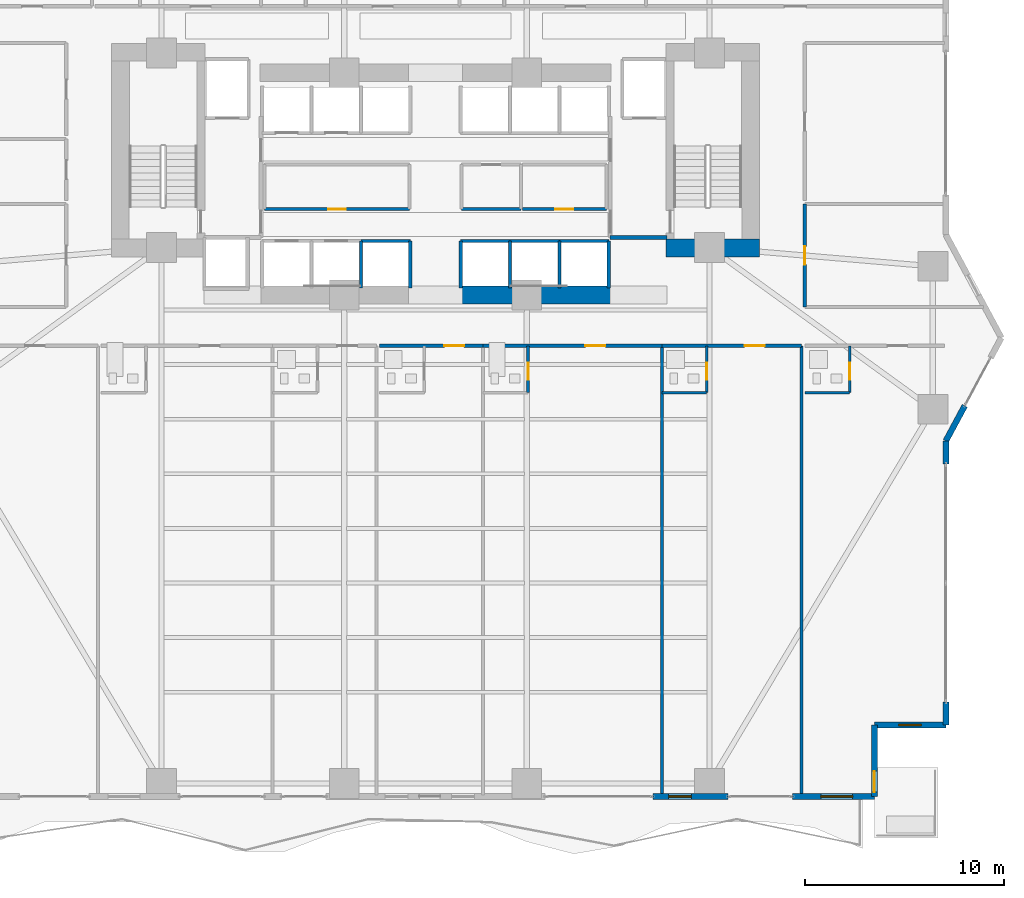
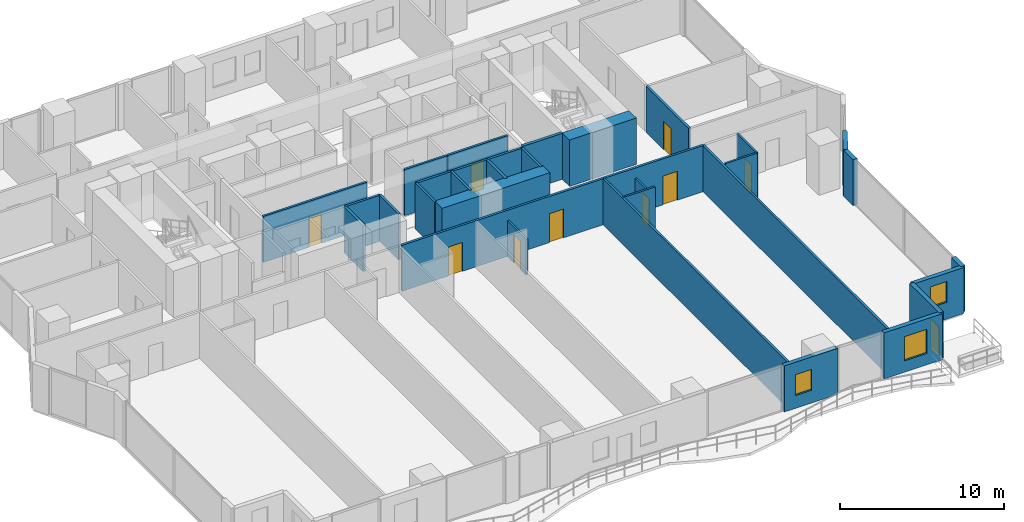
# One storey, part 19 of 29: 34 walls, 10 doors, 3 windows, 13 openings.
"""IFC4 building model written with IfcOpenShell, lengths in metres."""

from ifc_helpers import new_model, si_unit, direction, frame, frame_2d, origin, place, context, subcontext, project, spatial, rectangle, extrude, material, layer, layer_set, type_object, element, fill, save


model = new_model("IFC4")

# Units and contexts
model_context = context("Model", 3, precision=1e-05, world=origin(), true_north=direction((0.0, 1.0)))
body_context = subcontext(model_context, "Body", "Model", "MODEL_VIEW")
ifc_project = project(units=[si_unit("LENGTHUNIT", "METRE"), si_unit("AREAUNIT", "SQUARE_METRE"), si_unit("VOLUMEUNIT", "CUBIC_METRE"), si_unit("PLANEANGLEUNIT", "RADIAN"), si_unit("MASSUNIT", "GRAM", prefix="KILO")], contexts=[model_context])

# Site, building, storey
site_placement = place(None, origin())
site = spatial("IfcSite", under=ifc_project, at=site_placement, CompositionType="ELEMENT")
building_placement = place(site_placement, origin())
building = spatial("IfcBuilding", under=site, at=building_placement, Name="Zuhayl Quay Hotel", CompositionType="ELEMENT")
storey_placement = place(building_placement, frame((0.0, 0.0, 45.85009765625)))
storey = spatial("IfcBuildingStorey", under=building, at=storey_placement, Name="L10", CompositionType="ELEMENT", Elevation=45.85009765625)

# Walls
ifc_material_1 = material(Name="Concrete C70/85", Category="concrete")
ifc_layer_1 = layer(ifc_material_1, 0.89990234375, Name="Concrete C70/85", Category="concrete")
ifc_layer_set_1 = layer_set([ifc_layer_1], Name="Concrete C70/85")
wall_type_1 = type_object("IfcWallType", Name="WL_CORE_900", PredefinedType="SHEAR", material=ifc_layer_set_1)
wall_1_placement = place(storey_placement, frame((11.60009765625, 4.52001953125, 0.0), z_axis=(0.0, 0.0, 1.0), x_axis=(1.0, 0.0, 0.0)))
element("IfcWall", 1, at=wall_1_placement, inside=storey, type_object=wall_type_1, Name="L10 Core Shear Wall CW_SE", PredefinedType="SHEAR", context=body_context, shape_type="SweptSolid", body=[
    extrude(rectangle(XDim=4.7099609375, YDim=0.89990234375, at=frame_2d((2.35498046875, 0.0))), origin(), (0.0, 0.0, 1.0), 3.4599609375),
])
wall_2_placement = place(storey_placement, frame((1.25, 2.14990234375, 0.0), z_axis=(0.0, 0.0, 1.0), x_axis=(1.0, 0.0, 0.0)))
element("IfcWall", 2, at=wall_2_placement, inside=storey, type_object=wall_type_1, Name="L10 Core Shear Wall CW_SC_E", PredefinedType="SHEAR", context=body_context, shape_type="SweptSolid", body=[
    extrude(rectangle(XDim=7.60009765625, YDim=0.89990234375, at=frame_2d((3.800048828125, 0.0))), origin(), (0.0, 0.0, 1.0), 3.429931640625),
])
ifc_material_2 = material(Name="Precast concrete C45/55", Category="concrete")
ifc_layer_2 = layer(ifc_material_2, 0.300048828125, Name="Precast concrete C45/55", Category="concrete")
ifc_layer_set_2 = layer_set([ifc_layer_2], Name="Precast concrete C45/55")
wall_type_2 = type_object("IfcWallType", Name="WL_EXT_300", PredefinedType="STANDARD", material=ifc_layer_set_2)
wall_3_placement = place(storey_placement, frame((26.657958984375, -3.4208984375, 0.0), z_axis=(0.0, 0.0, 1.0), x_axis=(-0.474121438562, -0.88045946045, 0.0)))
element("IfcWall", 3, at=wall_3_placement, inside=storey, type_object=wall_type_2, Name="L10 Exterior Precast Wall ENV_L10_E13_EW2", PredefinedType="STANDARD", context=body_context, shape_type="SweptSolid", body=[
    extrude(rectangle(XDim=2.0205078125, YDim=0.300048828125, at=frame_2d((1.01025390625, 0.0))), origin(), (0.0, 0.0, 1.0), 3.429931640625),
])
wall_4_placement = place(storey_placement, frame((25.699951171875, -5.199951171875, 0.0), z_axis=(0.0, 0.0, 1.0), x_axis=(0.0, -1.0, 0.0)))
element("IfcWall", 4, at=wall_4_placement, inside=storey, type_object=wall_type_2, Name="L10 Exterior Precast Wall ENV_L10_E14_EW1", PredefinedType="STANDARD", context=body_context, shape_type="SweptSolid", body=[
    extrude(rectangle(XDim=1.150146484375, YDim=0.300048828125, at=frame_2d((0.5751953125, 0.0))), origin(), (0.0, 0.0, 1.0), 3.429931640625),
])
wall_5_placement = place(storey_placement, frame((25.699951171875, -18.35009765625, 0.0), z_axis=(0.0, 0.0, 1.0), x_axis=(0.0, -1.0, 0.0)))
element("IfcWall", 5, at=wall_5_placement, inside=storey, type_object=wall_type_2, Name="L10 Exterior Precast Wall ENV_L10_E14_EW2", PredefinedType="STANDARD", context=body_context, shape_type="SweptSolid", body=[
    extrude(rectangle(XDim=1.14990234375, YDim=0.300048828125, at=frame_2d((0.574951171875, 0.0))), origin(), (0.0, 0.0, 1.0), 3.429931640625),
])

# Wall, opening, window
wall_6_placement = place(storey_placement, frame((25.699951171875, -19.5, 0.0), z_axis=(0.0, 0.0, 1.0), x_axis=(-1.0, 0.0, 0.0)))
wall_6 = element("IfcWall", 6, at=wall_6_placement, inside=storey, type_object=wall_type_2, Name="L10 Exterior Precast Wall ENV_L10_EW15", PredefinedType="STANDARD", context=body_context, shape_type="SweptSolid", body=[
    extrude(rectangle(XDim=3.599853515625, YDim=0.300048828125, at=frame_2d((1.7998046875, 0.0))), origin(), (0.0, 0.0, 1.0), 3.429931640625),
])
opening_1_placement = place(wall_6_placement, frame((1.22509765625, 0.0, 1.25)))
opening_1 = element("IfcOpeningElement", 7, at=opening_1_placement, cuts=wall_6, Name="Opening W01N", PredefinedType="OPENING", context=body_context, shape_type="SweptSolid", body=[
    extrude(rectangle(XDim=1.14990234375, YDim=1.550048828125, at=frame_2d((0.574951171875, 0.77490234375))), frame((0.0, 0.159912109375, 0.0), z_axis=(0.0, -1.0, 0.0), x_axis=(1.0, 0.0, 0.0)), (0.0, 0.0, 1.0), 0.320068359375),
])
ifc_material_3 = material(Name="Dark Ceramic-Fritted Solar Glass", Category="glass")
window_type_1 = type_object("IfcWindowType", Name="WN_NOTCH_1350", PartitioningType="SINGLE_PANEL", PredefinedType="WINDOW", material=ifc_material_3)
window_1_placement = place(opening_1_placement, origin())
window_1 = element("IfcWindow", 8, at=window_1_placement, inside=storey, type_object=window_type_1, Name="L10 Corner Notch Window 15", OverallHeight=1.550048828125, OverallWidth=1.14990234375, PartitioningType="SINGLE_PANEL", PredefinedType="WINDOW", context=body_context, shape_type="SweptSolid", body=[
    extrude(rectangle(XDim=1.14990234375, YDim=1.550048828125, at=frame_2d((0.574951171875, 0.77490234375))), frame((0.0, 0.030029296875, 0.0), z_axis=(0.0, -1.0, 0.0), x_axis=(1.0, 0.0, 0.0)), (0.0, 0.0, 1.0), 0.06005859375),
])
fill(opening_1, window_1)

# Wall, opening, door
wall_7_placement = place(storey_placement, frame((22.10009765625, -19.5, 0.0), z_axis=(0.0, 0.0, 1.0), x_axis=(0.0, -1.0, 0.0)))
wall_7 = element("IfcWall", 9, at=wall_7_placement, inside=storey, type_object=wall_type_2, Name="L10 Exterior Precast Wall ENV_L10_SP_SE", PredefinedType="STANDARD", context=body_context, shape_type="SweptSolid", body=[
    extrude(rectangle(XDim=3.60009765625, YDim=0.300048828125, at=frame_2d((1.800048828125, 0.0))), origin(), (0.0, 0.0, 1.0), 3.429931640625),
])
opening_2_placement = place(wall_7_placement, frame((2.330078125, 0.0, 0.0)))
opening_2 = element("IfcOpeningElement", 10, at=opening_2_placement, cuts=wall_7, Name="Opening DG1", PredefinedType="OPENING", context=body_context, shape_type="SweptSolid", body=[
    extrude(rectangle(XDim=1.050048828125, YDim=2.199951171875, at=frame_2d((0.52490234375, 1.10009765625))), frame((0.0, 0.159912109375, 0.0), z_axis=(0.0, -1.0, 0.0), x_axis=(1.0, 0.0, 0.0)), (0.0, 0.0, 1.0), 0.320068359375),
])
ifc_material_4 = material(Name="Anodised Aluminium and Dark Solar Glass", Category="aluminium")
door_type_1 = type_object("IfcDoorType", Name="DR_EXT_TERR_1050", OperationType="NOTDEFINED", PredefinedType="DOOR", material=ifc_material_4)
door_1_placement = place(opening_2_placement, origin())
door_1 = element("IfcDoor", 11, at=door_1_placement, inside=storey, type_object=door_type_1, Name="L10 Spiral Sky-Terrace SE Access Door", OperationType="SINGLE_SWING_LEFT", OverallHeight=2.199951171875, OverallWidth=1.050048828125, PredefinedType="DOOR", context=body_context, shape_type="SweptSolid", body=[
    extrude(rectangle(XDim=1.050048828125, YDim=2.199951171875, at=frame_2d((0.52490234375, 1.10009765625))), frame((0.0, 0.02490234375, 0.0), z_axis=(0.0, -1.0, 0.0), x_axis=(1.0, 0.0, 0.0)), (0.0, 0.0, 1.0), 0.050048828125),
])
fill(opening_2, door_1)

# Wall, opening, window
wall_8_placement = place(storey_placement, frame((22.10009765625, -23.10009765625, 0.0), z_axis=(0.0, 0.0, 1.0), x_axis=(-1.0, 0.0, 0.0)))
wall_8 = element("IfcWall", 12, at=wall_8_placement, inside=storey, type_object=wall_type_2, Name="L10 Exterior Precast Wall ENV_L10_S_EW1", PredefinedType="STANDARD", context=body_context, shape_type="SweptSolid", body=[
    extrude(rectangle(XDim=4.110107421875, YDim=0.300048828125, at=frame_2d((2.05517578125, 0.0))), origin(), (0.0, 0.0, 1.0), 3.429931640625),
])
opening_3_placement = place(wall_8_placement, frame((1.090087890625, 0.0, 0.85009765625)))
opening_3 = element("IfcOpeningElement", 13, at=opening_3_placement, cuts=wall_8, Name="Opening W01", PredefinedType="OPENING", context=body_context, shape_type="SweptSolid", body=[
    extrude(rectangle(XDim=1.60009765625, YDim=1.800048828125, at=frame_2d((0.800048828125, 0.89990234375))), frame((0.0, 0.159912109375, 0.0), z_axis=(0.0, -1.0, 0.0), x_axis=(1.0, 0.0, 0.0)), (0.0, 0.0, 1.0), 0.320068359375),
])
window_type_2 = type_object("IfcWindowType", Name="WN_OPERABLE_1600", PartitioningType="DOUBLE_PANEL_VERTICAL", PredefinedType="WINDOW", material=ifc_material_3)
window_2_placement = place(opening_3_placement, origin())
window_2 = element("IfcWindow", 14, at=window_2_placement, inside=storey, type_object=window_type_2, Name="L10 Operable Facade Window 1-1", OverallHeight=1.800048828125, OverallWidth=1.60009765625, PartitioningType="SINGLE_PANEL", PredefinedType="WINDOW", context=body_context, shape_type="SweptSolid", body=[
    extrude(rectangle(XDim=1.60009765625, YDim=1.800048828125, at=frame_2d((0.800048828125, 0.89990234375))), frame((0.0, 0.030029296875, 0.0), z_axis=(0.0, -1.0, 0.0), x_axis=(1.0, 0.0, 0.0)), (0.0, 0.0, 1.0), 0.06005859375),
])
fill(opening_3, window_2)

wall_9_placement = place(storey_placement, frame((14.719970703125, -23.10009765625, 0.0), z_axis=(0.0, 0.0, 1.0), x_axis=(-1.0, 0.0, 0.0)))
wall_9 = element("IfcWall", 15, at=wall_9_placement, inside=storey, type_object=wall_type_2, Name="L10 Exterior Precast Wall ENV_L10_S_EW2", PredefinedType="STANDARD", context=body_context, shape_type="SweptSolid", body=[
    extrude(rectangle(XDim=3.77001953125, YDim=0.300048828125, at=frame_2d((1.885009765625, 0.0))), origin(), (0.0, 0.0, 1.0), 3.429931640625),
])
opening_4_placement = place(wall_9_placement, frame((1.8349609375, 0.0, 0.949951171875)))
opening_4 = element("IfcOpeningElement", 16, at=opening_4_placement, cuts=wall_9, Name="Opening W01N", PredefinedType="OPENING", context=body_context, shape_type="SweptSolid", body=[
    extrude(rectangle(XDim=1.14990234375, YDim=1.550048828125, at=frame_2d((0.574951171875, 0.77490234375))), frame((0.0, 0.159912109375, 0.0), z_axis=(0.0, -1.0, 0.0), x_axis=(1.0, 0.0, 0.0)), (0.0, 0.0, 1.0), 0.320068359375),
])
window_3_placement = place(opening_4_placement, origin())
window_3 = element("IfcWindow", 17, at=window_3_placement, inside=storey, type_object=window_type_1, Name="L10 Operable Facade Window 2-1", OverallHeight=1.550048828125, OverallWidth=1.14990234375, PartitioningType="SINGLE_PANEL", PredefinedType="WINDOW", context=body_context, shape_type="SweptSolid", body=[
    extrude(rectangle(XDim=1.14990234375, YDim=1.550048828125, at=frame_2d((0.574951171875, 0.77490234375))), frame((0.0, 0.030029296875, 0.0), z_axis=(0.0, -1.0, 0.0), x_axis=(1.0, 0.0, 0.0)), (0.0, 0.0, 1.0), 0.06005859375),
])
fill(opening_4, window_3)

# Wall, opening, door
ifc_material_5 = material(Name="Acoustic Gypsum Partition STC-58")
ifc_layer_3 = layer(ifc_material_5, 0.14990234375, Name="Acoustic Gypsum Partition STC-58")
ifc_layer_set_3 = layer_set([ifc_layer_3], Name="Acoustic Gypsum Partition STC-58")
wall_type_3 = type_object("IfcWallType", Name="WL_PART_150", PredefinedType="PARTITIONING", material=ifc_layer_set_3)
wall_10_placement = place(storey_placement, frame((-8.610107421875, 6.47998046875, 0.0), z_axis=(0.0, 0.0, 1.0), x_axis=(1.0, 0.0, 0.0)))
wall_10 = element("IfcWall", 18, at=wall_10_placement, inside=storey, type_object=wall_type_3, Name="L10 Partition IW_L10_CORE_EL_S", PredefinedType="PARTITIONING", context=body_context, shape_type="SweptSolid", body=[
    extrude(rectangle(XDim=7.2900390625, YDim=0.14990234375, at=frame_2d((3.64501953125, 0.0))), origin(), (0.0, 0.0, 1.0), 3.429931640625),
])
opening_5_placement = place(wall_10_placement, frame((3.195068359375, 0.0, 0.0)))
opening_5 = element("IfcOpeningElement", 19, at=opening_5_placement, cuts=wall_10, Name="Opening D06", PredefinedType="OPENING", context=body_context, shape_type="SweptSolid", body=[
    extrude(rectangle(XDim=0.89990234375, YDim=2.14990234375, at=frame_2d((0.449951171875, 1.074951171875))), frame((0.0, 0.0849609375, 0.0), z_axis=(0.0, -1.0, 0.0), x_axis=(1.0, 0.0, 0.0)), (0.0, 0.0, 1.0), 0.169921875),
])
ifc_material_6 = material(Name="Steel ASTM A992 Grade 50", Category="steel")
door_type_2 = type_object("IfcDoorType", Name="DR_INT_900", OperationType="NOTDEFINED", PredefinedType="DOOR", material=ifc_material_6)
door_2_placement = place(opening_5_placement, origin())
door_2 = element("IfcDoor", 20, at=door_2_placement, inside=storey, type_object=door_type_2, Name="L10 Floor Electrical Plant Room Door", OperationType="SINGLE_SWING_LEFT", OverallHeight=2.14990234375, OverallWidth=0.89990234375, PredefinedType="DOOR", context=body_context, shape_type="SweptSolid", body=[
    extrude(rectangle(XDim=0.89990234375, YDim=2.14990234375, at=frame_2d((0.449951171875, 1.074951171875))), frame((0.0, 0.02490234375, 0.0), z_axis=(0.0, -1.0, 0.0), x_axis=(1.0, 0.0, 0.0)), (0.0, 0.0, 1.0), 0.050048828125),
])
fill(opening_5, door_2)

wall_11_placement = place(storey_placement, frame((4.3701171875, 6.47998046875, 0.0), z_axis=(0.0, 0.0, 1.0), x_axis=(1.0, 0.0, 0.0)))
wall_11 = element("IfcWall", 21, at=wall_11_placement, inside=storey, type_object=wall_type_3, Name="L10 Partition IW_L10_CORE_LN_S", PredefinedType="PARTITIONING", context=body_context, shape_type="SweptSolid", body=[
    extrude(rectangle(XDim=4.239990234375, YDim=0.14990234375, at=frame_2d((2.1201171875, 0.0))), origin(), (0.0, 0.0, 1.0), 3.429931640625),
])
opening_6_placement = place(wall_11_placement, frame((1.669921875, 0.0, 0.0)))
opening_6 = element("IfcOpeningElement", 22, at=opening_6_placement, cuts=wall_11, Name="Opening D06", PredefinedType="OPENING", context=body_context, shape_type="SweptSolid", body=[
    extrude(rectangle(XDim=0.89990234375, YDim=2.14990234375, at=frame_2d((0.449951171875, 1.074951171875))), frame((0.0, 0.0849609375, 0.0), z_axis=(0.0, -1.0, 0.0), x_axis=(1.0, 0.0, 0.0)), (0.0, 0.0, 1.0), 0.169921875),
])
door_3_placement = place(opening_6_placement, origin())
door_3 = element("IfcDoor", 23, at=door_3_placement, inside=storey, type_object=door_type_2, Name="L10 Core Linen Store Door", OperationType="SINGLE_SWING_LEFT", OverallHeight=2.14990234375, OverallWidth=0.89990234375, PredefinedType="DOOR", context=body_context, shape_type="SweptSolid", body=[
    extrude(rectangle(XDim=0.89990234375, YDim=2.14990234375, at=frame_2d((0.449951171875, 1.074951171875))), frame((0.0, 0.02490234375, 0.0), z_axis=(0.0, -1.0, 0.0), x_axis=(1.0, 0.0, 0.0)), (0.0, 0.0, 1.0), 0.050048828125),
])
fill(opening_6, door_3)

# Walls
wall_12_placement = place(storey_placement, frame((1.320068359375, 6.47998046875, 0.0), z_axis=(0.0, 0.0, 1.0), x_axis=(1.0, 0.0, 0.0)))
element("IfcWall", 24, at=wall_12_placement, inside=storey, type_object=wall_type_3, Name="L10 Partition IW_L10_CORE_IT_S", PredefinedType="PARTITIONING", context=body_context, shape_type="SweptSolid", body=[
    extrude(rectangle(XDim=2.989990234375, YDim=0.14990234375, at=frame_2d((1.4951171875, 0.0))), origin(), (0.0, 0.0, 1.0), 3.429931640625),
])
for number, where, z_axis, x_axis, name in (
    (25, (11.39990234375, -23.02001953125, 0.0), (0.0, 0.0, 1.0), (0.0, 1.0, 0.0), "L10 Partition IW_L10_SU03_E"),
    (26, (18.43994140625, -23.02001953125, 0.0), (0.0, 0.0, 1.0), (0.0, 1.0, 0.0), "L10 Partition IW_L10_SU04A_E"),
):
    element("IfcWall", number, at=place(storey_placement, frame(where, z_axis=z_axis, x_axis=x_axis)), inside=storey, type_object=wall_type_3, Name=name, PredefinedType="PARTITIONING", context=body_context, shape_type="SweptSolid", body=[
        extrude(rectangle(XDim=22.6201171875, YDim=0.14990234375, at=frame_2d((11.31005859375, 0.0))), origin(), (0.0, 0.0, 1.0), 3.429931640625),
    ])

# Wall, opening, door
ifc_layer_4 = layer(ifc_material_5, 0.159912109375, Name="Acoustic Gypsum Partition STC-58")
ifc_layer_set_4 = layer_set([ifc_layer_4], Name="Acoustic Gypsum Partition STC-58")
wall_type_4 = type_object("IfcWallType", Name="WL_PART_CORR_160", PredefinedType="PARTITIONING", material=ifc_layer_set_4)
wall_13_placement = place(storey_placement, frame((-2.820068359375, -0.39990234375, 0.0), z_axis=(0.0, 0.0, 1.0), x_axis=(1.0, 0.0, 0.0)))
wall_13 = element("IfcWall", 27, at=wall_13_placement, inside=storey, type_object=wall_type_4, Name="L10 Partition IW_L10_SU02B_COR", PredefinedType="PARTITIONING", context=body_context, shape_type="SweptSolid", body=[
    extrude(rectangle(XDim=5.219970703125, YDim=0.159912109375, at=frame_2d((2.60986328125, 0.0))), origin(), (0.0, 0.0, 1.0), 3.429931640625),
])
opening_7_placement = place(wall_13_placement, frame((3.260009765625, 0.0, 0.0)))
opening_7 = element("IfcOpeningElement", 28, at=opening_7_placement, cuts=wall_13, Name="Opening D03L", PredefinedType="OPENING", context=body_context, shape_type="SweptSolid", body=[
    extrude(rectangle(XDim=1.0, YDim=2.14990234375, at=frame_2d((0.5, 1.074951171875))), frame((0.0, 0.08984375, 0.0), z_axis=(0.0, -1.0, 0.0), x_axis=(1.0, 0.0, 0.0)), (0.0, 0.0, 1.0), 0.179931640625),
])
ifc_material_7 = material(Name="Solid Walnut Acoustic Fire Door")
door_type_3 = type_object("IfcDoorType", Name="DR_SUITE_1000", OperationType="NOTDEFINED", PredefinedType="DOOR", material=ifc_material_7)
door_4_placement = place(opening_7_placement, origin())
door_4 = element("IfcDoor", 29, at=door_4_placement, inside=storey, type_object=door_type_3, Name="L10 City-View Junior Suite L10-02B Entrance Door", OperationType="SINGLE_SWING_RIGHT", OverallHeight=2.14990234375, OverallWidth=1.0, PredefinedType="DOOR", context=body_context, shape_type="SweptSolid", body=[
    extrude(rectangle(XDim=1.0, YDim=2.14990234375, at=frame_2d((0.5, 1.074951171875))), frame((0.0, 0.02490234375, 0.0), z_axis=(0.0, -1.0, 0.0), x_axis=(1.0, 0.0, 0.0)), (0.0, 0.0, 1.0), 0.050048828125),
])
fill(opening_7, door_4)

wall_14_placement = place(storey_placement, frame((2.39990234375, -0.39990234375, 0.0), z_axis=(0.0, 0.0, 1.0), x_axis=(1.0, 0.0, 0.0)))
wall_14 = element("IfcWall", 30, at=wall_14_placement, inside=storey, type_object=wall_type_4, Name="L10 Partition IW_L10_SU03_COR", PredefinedType="PARTITIONING", context=body_context, shape_type="SweptSolid", body=[
    extrude(rectangle(XDim=9.0, YDim=0.159912109375, at=frame_2d((4.5, 0.0))), origin(), (0.0, 0.0, 1.0), 3.429931640625),
])
opening_8_placement = place(wall_14_placement, frame((5.14990234375, 0.0, 0.0)))
opening_8 = element("IfcOpeningElement", 31, at=opening_8_placement, cuts=wall_14, Name="Opening D03L", PredefinedType="OPENING", context=body_context, shape_type="SweptSolid", body=[
    extrude(rectangle(XDim=1.0, YDim=2.14990234375, at=frame_2d((0.5, 1.074951171875))), frame((0.0, 0.08984375, 0.0), z_axis=(0.0, -1.0, 0.0), x_axis=(1.0, 0.0, 0.0)), (0.0, 0.0, 1.0), 0.179931640625),
])
door_5_placement = place(opening_8_placement, origin())
door_5 = element("IfcDoor", 32, at=door_5_placement, inside=storey, type_object=door_type_3, Name="L10 City-View Junior Suite L10-03 Entrance Door", OperationType="SINGLE_SWING_RIGHT", OverallHeight=2.14990234375, OverallWidth=1.0, PredefinedType="DOOR", context=body_context, shape_type="SweptSolid", body=[
    extrude(rectangle(XDim=1.0, YDim=2.14990234375, at=frame_2d((0.5, 1.074951171875))), frame((0.0, 0.02490234375, 0.0), z_axis=(0.0, -1.0, 0.0), x_axis=(1.0, 0.0, 0.0)), (0.0, 0.0, 1.0), 0.050048828125),
])
fill(opening_8, door_5)

wall_15_placement = place(storey_placement, frame((11.39990234375, -0.39990234375, 0.0), z_axis=(0.0, 0.0, 1.0), x_axis=(1.0, 0.0, 0.0)))
wall_15 = element("IfcWall", 33, at=wall_15_placement, inside=storey, type_object=wall_type_4, Name="L10 Partition IW_L10_SU04A_COR", PredefinedType="PARTITIONING", context=body_context, shape_type="SweptSolid", body=[
    extrude(rectangle(XDim=7.0400390625, YDim=0.159912109375, at=frame_2d((3.52001953125, 0.0))), origin(), (0.0, 0.0, 1.0), 3.429931640625),
])
opening_9_placement = place(wall_15_placement, frame((4.169921875, 0.0, 0.0)))
opening_9 = element("IfcOpeningElement", 34, at=opening_9_placement, cuts=wall_15, Name="Opening D03L", PredefinedType="OPENING", context=body_context, shape_type="SweptSolid", body=[
    extrude(rectangle(XDim=1.0, YDim=2.14990234375, at=frame_2d((0.5, 1.074951171875))), frame((0.0, 0.08984375, 0.0), z_axis=(0.0, -1.0, 0.0), x_axis=(1.0, 0.0, 0.0)), (0.0, 0.0, 1.0), 0.179931640625),
])
door_6_placement = place(opening_9_placement, origin())
door_6 = element("IfcDoor", 35, at=door_6_placement, inside=storey, type_object=door_type_3, Name="L10 City-View Junior Suite L10-04A Entrance Door", OperationType="SINGLE_SWING_RIGHT", OverallHeight=2.14990234375, OverallWidth=1.0, PredefinedType="DOOR", context=body_context, shape_type="SweptSolid", body=[
    extrude(rectangle(XDim=1.0, YDim=2.14990234375, at=frame_2d((0.5, 1.074951171875))), frame((0.0, 0.02490234375, 0.0), z_axis=(0.0, -1.0, 0.0), x_axis=(1.0, 0.0, 0.0)), (0.0, 0.0, 1.0), 0.050048828125),
])
fill(opening_9, door_6)

wall_16_placement = place(storey_placement, frame((18.60009765625, 1.550048828125, 0.0), z_axis=(0.0, 0.0, 1.0), x_axis=(0.0, 1.0, 0.0)))
wall_16 = element("IfcWall", 36, at=wall_16_placement, inside=storey, type_object=wall_type_4, Name="L10 Partition IW_L10_HK_MAIN_W", PredefinedType="PARTITIONING", context=body_context, shape_type="SweptSolid", body=[
    extrude(rectangle(XDim=5.199951171875, YDim=0.159912109375, at=frame_2d((2.60009765625, 0.0))), origin(), (0.0, 0.0, 1.0), 3.429931640625),
])
opening_10_placement = place(wall_16_placement, frame((2.139892578125, 0.0, 0.0)))
opening_10 = element("IfcOpeningElement", 37, at=opening_10_placement, cuts=wall_16, Name="Opening D05", PredefinedType="OPENING", context=body_context, shape_type="SweptSolid", body=[
    extrude(rectangle(XDim=0.919921875, YDim=2.1201171875, at=frame_2d((0.4599609375, 1.06005859375))), frame((0.0, 0.08984375, 0.0), z_axis=(0.0, -1.0, 0.0), x_axis=(1.0, 0.0, 0.0)), (0.0, 0.0, 1.0), 0.179931640625),
])
door_type_4 = type_object("IfcDoorType", Name="DR_INT_950", OperationType="NOTDEFINED", PredefinedType="DOOR", material=ifc_material_7)
door_7_placement = place(opening_10_placement, origin())
door_7 = element("IfcDoor", 38, at=door_7_placement, inside=storey, type_object=door_type_4, Name="L10 Housekeeping and Linen Room Door", OperationType="SINGLE_SWING_LEFT", OverallHeight=2.1201171875, OverallWidth=0.919921875, PredefinedType="DOOR", context=body_context, shape_type="SweptSolid", body=[
    extrude(rectangle(XDim=0.919921875, YDim=2.1201171875, at=frame_2d((0.4599609375, 1.06005859375))), frame((0.0, 0.02490234375, 0.0), z_axis=(0.0, -1.0, 0.0), x_axis=(1.0, 0.0, 0.0)), (0.0, 0.0, 1.0), 0.050048828125),
])
fill(opening_10, door_7)

ifc_material_8 = material(Name="Moisture-Resistant Sanitarychase Gypsum")
ifc_layer_5 = layer(ifc_material_8, 0.135009765625, Name="Moisture-Resistant Sanitarychase Gypsum")
ifc_layer_set_5 = layer_set([ifc_layer_5], Name="Moisture-Resistant Sanitarychase Gypsum")
wall_type_5 = type_object("IfcWallType", Name="WL_PART_PLUMB_150", PredefinedType="PLUMBINGWALL", material=ifc_layer_set_5)
wall_17_placement = place(storey_placement, frame((4.659912109375, -2.760009765625, 0.0), z_axis=(0.0, 0.0, 1.0), x_axis=(0.0, 1.0, 0.0)))
wall_17 = element("IfcWall", 39, at=wall_17_placement, inside=storey, type_object=wall_type_5, Name="L10 Partition IW_L10_SU03_BE", PredefinedType="PLUMBINGWALL", context=body_context, shape_type="SweptSolid", body=[
    extrude(rectangle(XDim=2.360107421875, YDim=0.135009765625, at=frame_2d((1.18017578125, 0.0))), origin(), (0.0, 0.0, 1.0), 2.66796875),
])
opening_11_placement = place(wall_17_placement, frame((0.64990234375, 0.0, 0.0)))
opening_11 = element("IfcOpeningElement", 40, at=opening_11_placement, cuts=wall_17, Name="Opening D04", PredefinedType="OPENING", context=body_context, shape_type="SweptSolid", body=[
    extrude(rectangle(XDim=0.85009765625, YDim=2.10009765625, at=frame_2d((0.425048828125, 1.050048828125))), frame((0.0, 0.077392578125, 0.0), z_axis=(0.0, -1.0, 0.0), x_axis=(1.0, 0.0, 0.0)), (0.0, 0.0, 1.0), 0.155029296875),
])
ifc_material_9 = material(Name="Moisture-Resistant Walnut Veneer")
door_type_5 = type_object("IfcDoorType", Name="DR_BATH_850", OperationType="NOTDEFINED", PredefinedType="DOOR", material=ifc_material_9)
door_8_placement = place(opening_11_placement, origin())
door_8 = element("IfcDoor", 41, at=door_8_placement, inside=storey, type_object=door_type_5, Name="L10 City-View Junior Suite L10-03 En-Suite Door", OperationType="SINGLE_SWING_LEFT", OverallHeight=2.10009765625, OverallWidth=0.85009765625, PredefinedType="DOOR", context=body_context, shape_type="SweptSolid", body=[
    extrude(rectangle(XDim=0.85009765625, YDim=2.10009765625, at=frame_2d((0.425048828125, 1.050048828125))), frame((0.0, 0.02490234375, 0.0), z_axis=(0.0, -1.0, 0.0), x_axis=(1.0, 0.0, 0.0)), (0.0, 0.0, 1.0), 0.050048828125),
])
fill(opening_11, door_8)

wall_18_placement = place(storey_placement, frame((13.659912109375, -2.760009765625, 0.0), z_axis=(0.0, 0.0, 1.0), x_axis=(0.0, 1.0, 0.0)))
wall_18 = element("IfcWall", 42, at=wall_18_placement, inside=storey, type_object=wall_type_5, Name="L10 Partition IW_L10_SU04A_BE", PredefinedType="PLUMBINGWALL", context=body_context, shape_type="SweptSolid", body=[
    extrude(rectangle(XDim=2.360107421875, YDim=0.135009765625, at=frame_2d((1.18017578125, 0.0))), origin(), (0.0, 0.0, 1.0), 2.66796875),
])
opening_12_placement = place(wall_18_placement, frame((0.64990234375, 0.0, 0.0)))
opening_12 = element("IfcOpeningElement", 43, at=opening_12_placement, cuts=wall_18, Name="Opening D04", PredefinedType="OPENING", context=body_context, shape_type="SweptSolid", body=[
    extrude(rectangle(XDim=0.85009765625, YDim=2.10009765625, at=frame_2d((0.425048828125, 1.050048828125))), frame((0.0, 0.077392578125, 0.0), z_axis=(0.0, -1.0, 0.0), x_axis=(1.0, 0.0, 0.0)), (0.0, 0.0, 1.0), 0.155029296875),
])
door_9_placement = place(opening_12_placement, origin())
door_9 = element("IfcDoor", 44, at=door_9_placement, inside=storey, type_object=door_type_5, Name="L10 City-View Junior Suite L10-04A En-Suite Door", OperationType="SINGLE_SWING_LEFT", OverallHeight=2.10009765625, OverallWidth=0.85009765625, PredefinedType="DOOR", context=body_context, shape_type="SweptSolid", body=[
    extrude(rectangle(XDim=0.85009765625, YDim=2.10009765625, at=frame_2d((0.425048828125, 1.050048828125))), frame((0.0, 0.02490234375, 0.0), z_axis=(0.0, -1.0, 0.0), x_axis=(1.0, 0.0, 0.0)), (0.0, 0.0, 1.0), 0.050048828125),
])
fill(opening_12, door_9)

wall_19_placement = place(storey_placement, frame((20.860107421875, -2.760009765625, 0.0), z_axis=(0.0, 0.0, 1.0), x_axis=(0.0, 1.0, 0.0)))
wall_19 = element("IfcWall", 45, at=wall_19_placement, inside=storey, type_object=wall_type_5, Name="L10 Partition IW_L10_SU04B_BE", PredefinedType="PLUMBINGWALL", context=body_context, shape_type="SweptSolid", body=[
    extrude(rectangle(XDim=2.360107421875, YDim=0.135009765625, at=frame_2d((1.18017578125, 0.0))), origin(), (0.0, 0.0, 1.0), 3.429931640625),
])
opening_13_placement = place(wall_19_placement, frame((0.64990234375, 0.0, 0.0)))
opening_13 = element("IfcOpeningElement", 46, at=opening_13_placement, cuts=wall_19, Name="Opening D04", PredefinedType="OPENING", context=body_context, shape_type="SweptSolid", body=[
    extrude(rectangle(XDim=0.85009765625, YDim=2.10009765625, at=frame_2d((0.425048828125, 1.050048828125))), frame((0.0, 0.077392578125, 0.0), z_axis=(0.0, -1.0, 0.0), x_axis=(1.0, 0.0, 0.0)), (0.0, 0.0, 1.0), 0.155029296875),
])
door_10_placement = place(opening_13_placement, origin())
door_10 = element("IfcDoor", 47, at=door_10_placement, inside=storey, type_object=door_type_5, Name="L10 City-View Junior Suite L10-04B En-Suite Door", OperationType="SINGLE_SWING_LEFT", OverallHeight=2.10009765625, OverallWidth=0.85009765625, PredefinedType="DOOR", context=body_context, shape_type="SweptSolid", body=[
    extrude(rectangle(XDim=0.85009765625, YDim=2.10009765625, at=frame_2d((0.425048828125, 1.050048828125))), frame((0.0, 0.02490234375, 0.0), z_axis=(0.0, -1.0, 0.0), x_axis=(1.0, 0.0, 0.0)), (0.0, 0.0, 1.0), 0.050048828125),
])
fill(opening_13, door_10)

# Walls
for number, where, z_axis, x_axis, name in (
    (48, (11.39990234375, -2.760009765625, 0.0), (0.0, 0.0, 1.0), (1.0, 0.0, 0.0), "L10 Partition IW_L10_SU04A_BS"),
    (49, (18.60009765625, -2.760009765625, 0.0), (0.0, 0.0, 1.0), (1.0, 0.0, 0.0), "L10 Partition IW_L10_SU04B_BS"),
):
    element("IfcWall", number, at=place(storey_placement, frame(where, z_axis=z_axis, x_axis=x_axis)), inside=storey, type_object=wall_type_5, Name=name, PredefinedType="PLUMBINGWALL", context=body_context, shape_type="SweptSolid", body=[
        extrude(rectangle(XDim=2.260009765625, YDim=0.135009765625, at=frame_2d((1.1298828125, 0.0))), origin(), (0.0, 0.0, 1.0), 3.429931640625),
    ])
ifc_material_10 = material(Name="Gypsum Fireboard Assembly EI-90")
ifc_layer_6 = layer(ifc_material_10, 0.1650390625, Name="Gypsum Fireboard Assembly EI-90")
ifc_layer_set_6 = layer_set([ifc_layer_6], Name="Gypsum Fireboard Assembly EI-90")
wall_type_6 = type_object("IfcWallType", Name="WL_PART_SHAFT_160", PredefinedType="PARTITIONING", material=ifc_layer_set_6)
wall_20_placement = place(storey_placement, frame((-3.75, 2.52001953125, 0.0), z_axis=(0.0, 0.0, 1.0), x_axis=(0.0, 1.0, 0.0)))
element("IfcWall", 50, at=wall_20_placement, inside=storey, type_object=wall_type_6, Name="L10 Partition IW_L10_SH_LP2_E", PredefinedType="PARTITIONING", context=body_context, shape_type="SweptSolid", body=[
    extrude(rectangle(XDim=2.35986328125, YDim=0.1650390625, at=frame_2d((1.179931640625, 0.0))), origin(), (0.0, 0.0, 1.0), 3.429931640625),
])
wall_21_placement = place(storey_placement, frame((-3.75, 4.8798828125, 0.0), z_axis=(0.0, 0.0, 1.0), x_axis=(1.0, 0.0, 0.0)))
element("IfcWall", 51, at=wall_21_placement, inside=storey, type_object=wall_type_6, Name="L10 Partition IW_L10_SH_MP1_F", PredefinedType="PARTITIONING", context=body_context, shape_type="SweptSolid", body=[
    extrude(rectangle(XDim=2.47998046875, YDim=0.1650390625, at=frame_2d((1.239990234375, 0.0))), origin(), (0.0, 0.0, 1.0), 3.429931640625),
])
wall_22_placement = place(storey_placement, frame((-1.27001953125, 2.52001953125, 0.0), z_axis=(0.0, 0.0, 1.0), x_axis=(0.0, 1.0, 0.0)))
element("IfcWall", 52, at=wall_22_placement, inside=storey, type_object=wall_type_6, Name="L10 Partition IW_L10_SH_MP1_E", PredefinedType="PARTITIONING", context=body_context, shape_type="SweptSolid", body=[
    extrude(rectangle(XDim=2.35986328125, YDim=0.1650390625, at=frame_2d((1.179931640625, 0.0))), origin(), (0.0, 0.0, 1.0), 3.429931640625),
])
wall_23_placement = place(storey_placement, frame((1.27001953125, 4.8798828125, 0.0), z_axis=(0.0, 0.0, 1.0), x_axis=(1.0, 0.0, 0.0)))
element("IfcWall", 53, at=wall_23_placement, inside=storey, type_object=wall_type_6, Name="L10 Partition IW_L10_SH_MP2_F", PredefinedType="PARTITIONING", context=body_context, shape_type="SweptSolid", body=[
    extrude(rectangle(XDim=2.47998046875, YDim=0.1650390625, at=frame_2d((1.239990234375, 0.0))), origin(), (0.0, 0.0, 1.0), 3.429931640625),
])
for number, where, z_axis, x_axis, name in (
    (54, (1.27001953125, 2.52001953125, 0.0), (0.0, 0.0, 1.0), (0.0, 1.0, 0.0), "L10 Partition IW_L10_SH_MP2_W"),
    (55, (3.75, 2.52001953125, 0.0), (0.0, 0.0, 1.0), (0.0, 1.0, 0.0), "L10 Partition IW_L10_SH_MP2_E"),
):
    element("IfcWall", number, at=place(storey_placement, frame(where, z_axis=z_axis, x_axis=x_axis)), inside=storey, type_object=wall_type_6, Name=name, PredefinedType="PARTITIONING", context=body_context, shape_type="SweptSolid", body=[
        extrude(rectangle(XDim=2.35986328125, YDim=0.1650390625, at=frame_2d((1.179931640625, 0.0))), origin(), (0.0, 0.0, 1.0), 3.429931640625),
    ])
wall_24_placement = place(storey_placement, frame((3.75, 4.8798828125, 0.0), z_axis=(0.0, 0.0, 1.0), x_axis=(1.0, 0.0, 0.0)))
element("IfcWall", 56, at=wall_24_placement, inside=storey, type_object=wall_type_6, Name="L10 Partition IW_L10_SH_HP1_F", PredefinedType="PARTITIONING", context=body_context, shape_type="SweptSolid", body=[
    extrude(rectangle(XDim=2.5, YDim=0.1650390625, at=frame_2d((1.25, 0.0))), origin(), (0.0, 0.0, 1.0), 3.429931640625),
])
wall_25_placement = place(storey_placement, frame((6.25, 2.52001953125, 0.0), z_axis=(0.0, 0.0, 1.0), x_axis=(0.0, 1.0, 0.0)))
element("IfcWall", 57, at=wall_25_placement, inside=storey, type_object=wall_type_6, Name="L10 Partition IW_L10_SH_HP1_E", PredefinedType="PARTITIONING", context=body_context, shape_type="SweptSolid", body=[
    extrude(rectangle(XDim=2.35986328125, YDim=0.1650390625, at=frame_2d((1.179931640625, 0.0))), origin(), (0.0, 0.0, 1.0), 3.429931640625),
])
wall_26_placement = place(storey_placement, frame((6.25, 4.8798828125, 0.0), z_axis=(0.0, 0.0, 1.0), x_axis=(1.0, 0.0, 0.0)))
element("IfcWall", 58, at=wall_26_placement, inside=storey, type_object=wall_type_6, Name="L10 Partition IW_L10_SH_HP2_F", PredefinedType="PARTITIONING", context=body_context, shape_type="SweptSolid", body=[
    extrude(rectangle(XDim=2.47998046875, YDim=0.1650390625, at=frame_2d((1.239990234375, 0.0))), origin(), (0.0, 0.0, 1.0), 3.429931640625),
])
wall_27_placement = place(storey_placement, frame((8.72998046875, 2.52001953125, 0.0), z_axis=(0.0, 0.0, 1.0), x_axis=(0.0, 1.0, 0.0)))
element("IfcWall", 59, at=wall_27_placement, inside=storey, type_object=wall_type_6, Name="L10 Partition IW_L10_SH_HP2_E", PredefinedType="PARTITIONING", context=body_context, shape_type="SweptSolid", body=[
    extrude(rectangle(XDim=2.35986328125, YDim=0.1650390625, at=frame_2d((1.179931640625, 0.0))), origin(), (0.0, 0.0, 1.0), 3.429931640625),
])
ifc_material_11 = material(Name="Gypsum Fireboard Assembly EI-120")
ifc_layer_7 = layer(ifc_material_11, 0.199951171875, Name="Gypsum Fireboard Assembly EI-120")
ifc_layer_set_7 = layer_set([ifc_layer_7], Name="Gypsum Fireboard Assembly EI-120")
wall_type_7 = type_object("IfcWallType", Name="WL_PART_SHAFT_200", PredefinedType="PARTITIONING", material=ifc_layer_set_7)
wall_28_placement = place(storey_placement, frame((8.800048828125, 5.050048828125, 0.0), z_axis=(0.0, 0.0, 1.0), x_axis=(1.0, 0.0, 0.0)))
element("IfcWall", 60, at=wall_28_placement, inside=storey, type_object=wall_type_7, Name="L10 Partition IW_L10_FSAE_E_S", PredefinedType="PARTITIONING", context=body_context, shape_type="SweptSolid", body=[
    extrude(rectangle(XDim=2.849853515625, YDim=0.199951171875, at=frame_2d((1.4248046875, 0.0))), origin(), (0.0, 0.0, 1.0), 3.429931640625),
])

save(model, "model.ifc")
